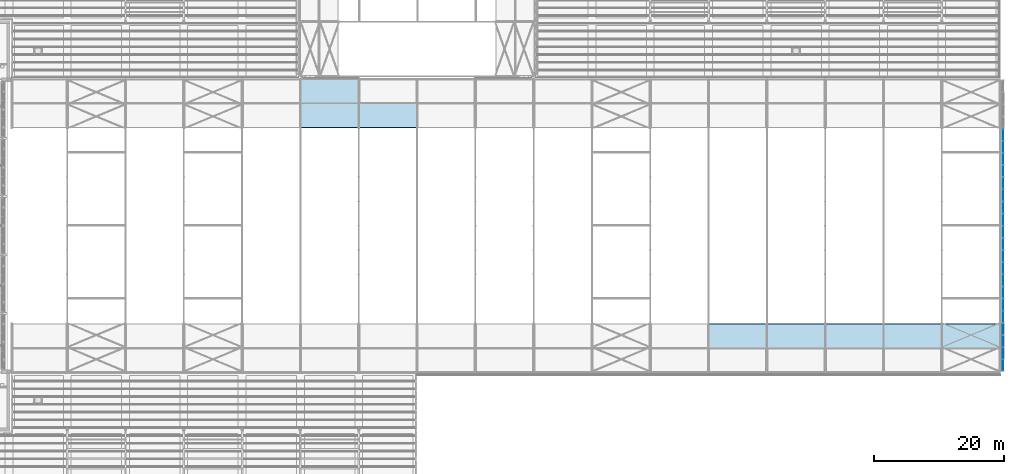
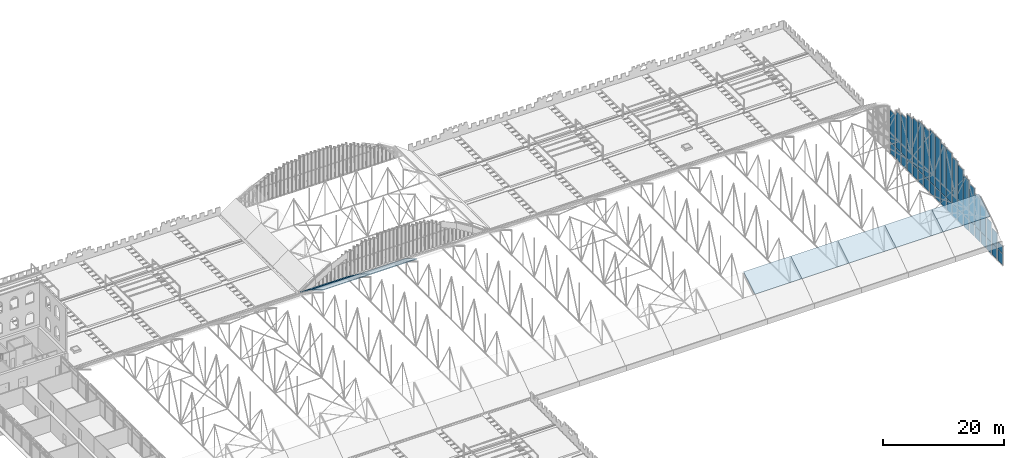
# One storey, part 95 of 153: 40 plates, 8 slabs, 20 elements without a shape of their own.
"""IFC4 building model written with IfcOpenShell, lengths in metres."""

from ifc_helpers import new_model, si_unit, direction, frame, origin, origin_2d, place, context, subcontext, project, spatial, polyline, rectangle, outline, extrude, material, layer, layer_set, type_object, element, aggregate, save


model = new_model("IFC4")

# Units and contexts
model_context = context("Model", 3, precision=1e-05, world=origin(), true_north=direction((0.0, 1.0)))
body_context = subcontext(model_context, "Body", "Model", "MODEL_VIEW")
ifc_project = project(units=[si_unit("LENGTHUNIT", "METRE"), si_unit("AREAUNIT", "SQUARE_METRE"), si_unit("VOLUMEUNIT", "CUBIC_METRE"), si_unit("PLANEANGLEUNIT", "RADIAN"), si_unit("MASSUNIT", "GRAM", prefix="KILO")], contexts=[model_context])

# Site, building, storey
site_placement = place(None, origin())
site = spatial("IfcSite", under=ifc_project, at=site_placement, CompositionType="ELEMENT")
building_placement = place(site_placement, origin())
building = spatial("IfcBuilding", under=site, at=building_placement, Name="Baradari Gate Terminus", CompositionType="ELEMENT")
storey_placement = place(building_placement, frame((0.0, 0.0, 11.699951171875)))
storey = spatial("IfcBuildingStorey", under=building, at=storey_placement, Name="L02", CompositionType="ELEMENT", Elevation=11.699951171875)

# Curtain wall, plates
ifc_material_1 = material(Name="Aluminium 6063-T6", Category="aluminium")
curtain_wall_type_1 = type_object("IfcCurtainWallType", Name="Curtain wall CW-14 gable screen, other height", PredefinedType="NOTDEFINED", material=ifc_material_1)
curtain_wall_1_placement = place(storey_placement, origin())
curtain_wall_1 = element("IfcCurtainWall", 1, at=curtain_wall_1_placement, inside=storey, type_object=curtain_wall_type_1, Name="Gable glazing curtain wall CW-14 cell 01a", PredefinedType="NOTDEFINED")
ifc_material_2 = material(Name="Insulating glass unit", Category="glass")
ifc_layer_1 = layer(ifc_material_2, 0.0400390625)
ifc_layer_set_1 = layer_set([ifc_layer_1], Name="Insulating glass unit")
plate_type_1 = type_object("IfcPlateType", Name="Curtain wall glazing unit CP-14 40", PredefinedType="CURTAIN_PANEL", material=ifc_layer_set_1)
plate_1_placement = place(storey_placement, frame((243.449951171875, 36.9375, -4.60009765625), z_axis=(0.0, 0.0, 1.0), x_axis=(0.0, 1.0, 0.0)))
plate_1 = element("IfcPlate", 2, at=plate_1_placement, type_object=plate_type_1, Name="CW-14 panel 1.1", PredefinedType="CURTAIN_PANEL", context=body_context, shape_type="SweptSolid", body=[
    extrude(rectangle(XDim=1.675048828125, YDim=0.0400390625, at=origin_2d()), origin(), (0.0, 0.0, 1.0), 2.268310546875),
])
plate_2_placement = place(storey_placement, frame((243.449951171875, 36.9375, -2.231689453125), z_axis=(0.0, 0.0, 1.0), x_axis=(0.0, 1.0, 0.0)))
plate_2 = element("IfcPlate", 3, at=plate_2_placement, type_object=plate_type_1, Name="CW-14 panel 1.2", PredefinedType="CURTAIN_PANEL", context=body_context, shape_type="SweptSolid", body=[
    extrude(rectangle(XDim=1.675048828125, YDim=0.0400390625, at=origin_2d()), origin(), (0.0, 0.0, 1.0), 1.431640625),
])
aggregate(curtain_wall_1, [plate_1, plate_2])

ifc_material_3 = material(Name="Aluminium 6063-T6", Category="aluminium")
curtain_wall_type_2 = type_object("IfcCurtainWallType", Name="Curtain wall CW-15 gable screen, other height", PredefinedType="NOTDEFINED", material=ifc_material_3)
curtain_wall_2_placement = place(storey_placement, origin())
curtain_wall_2 = element("IfcCurtainWall", 4, at=curtain_wall_2_placement, inside=storey, type_object=curtain_wall_type_2, Name="Gable glazing curtain wall CW-15 cell 01b", PredefinedType="NOTDEFINED")
ifc_material_4 = material(Name="Insulating glass unit", Category="glass")
ifc_layer_2 = layer(ifc_material_4, 0.0400390625)
ifc_layer_set_2 = layer_set([ifc_layer_2], Name="Insulating glass unit")
plate_type_2 = type_object("IfcPlateType", Name="Curtain wall glazing unit CP-15 40", PredefinedType="CURTAIN_PANEL", material=ifc_layer_set_2)
plate_3_placement = place(storey_placement, frame((243.449951171875, 38.8125, -4.60009765625), z_axis=(0.0, 0.0, 1.0), x_axis=(0.0, 1.0, 0.0)))
plate_3 = element("IfcPlate", 5, at=plate_3_placement, type_object=plate_type_2, Name="CW-15 panel 1.1", PredefinedType="CURTAIN_PANEL", context=body_context, shape_type="SweptSolid", body=[
    extrude(rectangle(XDim=1.675048828125, YDim=0.0400390625, at=origin_2d()), origin(), (0.0, 0.0, 1.0), 2.268310546875),
])
plate_4_placement = place(storey_placement, frame((243.449951171875, 38.8125, -2.231689453125), z_axis=(0.0, 0.0, 1.0), x_axis=(0.0, 1.0, 0.0)))
plate_4 = element("IfcPlate", 6, at=plate_4_placement, type_object=plate_type_2, Name="CW-15 panel 1.2", PredefinedType="CURTAIN_PANEL", context=body_context, shape_type="SweptSolid", body=[
    extrude(rectangle(XDim=1.675048828125, YDim=0.0400390625, at=origin_2d()), origin(), (0.0, 0.0, 1.0), 2.931640625),
])
aggregate(curtain_wall_2, [plate_3, plate_4])

ifc_material_5 = material(Name="Aluminium 6063-T6", Category="aluminium")
curtain_wall_type_3 = type_object("IfcCurtainWallType", Name="Curtain wall CW-16 gable screen, other height", PredefinedType="NOTDEFINED", material=ifc_material_5)
curtain_wall_3_placement = place(storey_placement, origin())
curtain_wall_3 = element("IfcCurtainWall", 7, at=curtain_wall_3_placement, inside=storey, type_object=curtain_wall_type_3, Name="Gable glazing curtain wall CW-16 cell 02a", PredefinedType="NOTDEFINED")
ifc_material_6 = material(Name="Insulating glass unit", Category="glass")
ifc_layer_3 = layer(ifc_material_6, 0.0400390625)
ifc_layer_set_3 = layer_set([ifc_layer_3], Name="Insulating glass unit")
plate_type_3 = type_object("IfcPlateType", Name="Curtain wall glazing unit CP-16 40", PredefinedType="CURTAIN_PANEL", material=ifc_layer_set_3)
plate_5_placement = place(storey_placement, frame((243.449951171875, 40.6875, -4.60009765625), z_axis=(0.0, 0.0, 1.0), x_axis=(0.0, 1.0, 0.0)))
plate_5 = element("IfcPlate", 8, at=plate_5_placement, type_object=plate_type_3, Name="CW-16 panel 1.1", PredefinedType="CURTAIN_PANEL", context=body_context, shape_type="SweptSolid", body=[
    extrude(rectangle(XDim=1.675048828125, YDim=0.0400390625, at=origin_2d()), origin(), (0.0, 0.0, 1.0), 2.268310546875),
])
plate_6_placement = place(storey_placement, frame((243.449951171875, 40.6875, -2.231689453125), z_axis=(0.0, 0.0, 1.0), x_axis=(0.0, 1.0, 0.0)))
plate_6 = element("IfcPlate", 9, at=plate_6_placement, type_object=plate_type_3, Name="CW-16 panel 1.2", PredefinedType="CURTAIN_PANEL", context=body_context, shape_type="SweptSolid", body=[
    extrude(rectangle(XDim=1.675048828125, YDim=0.0400390625, at=origin_2d()), origin(), (0.0, 0.0, 1.0), 3.931640625),
])
aggregate(curtain_wall_3, [plate_5, plate_6])

# Curtain wall, plate
ifc_material_7 = material(Name="Aluminium 6063-T6", Category="aluminium")
curtain_wall_type_4 = type_object("IfcCurtainWallType", Name="Curtain wall CW-17 gable screen, other height", PredefinedType="NOTDEFINED", material=ifc_material_7)
curtain_wall_4_placement = place(storey_placement, origin())
curtain_wall_4 = element("IfcCurtainWall", 10, at=curtain_wall_4_placement, inside=storey, type_object=curtain_wall_type_4, Name="Gable glazing curtain wall CW-17 cell 02b", PredefinedType="NOTDEFINED")
ifc_material_8 = material(Name="Insulating glass unit", Category="glass")
ifc_layer_4 = layer(ifc_material_8, 0.0400390625)
ifc_layer_set_4 = layer_set([ifc_layer_4], Name="Insulating glass unit")
plate_type_4 = type_object("IfcPlateType", Name="Curtain wall glazing unit CP-17 40", PredefinedType="CURTAIN_PANEL", material=ifc_layer_set_4)
plate_7_placement = place(storey_placement, frame((243.449951171875, 42.5625, -4.60009765625), z_axis=(0.0, 0.0, 1.0), x_axis=(0.0, 1.0, 0.0)))
plate_7 = element("IfcPlate", 11, at=plate_7_placement, type_object=plate_type_4, Name="CW-17 panel 1.1", PredefinedType="CURTAIN_PANEL", context=body_context, shape_type="SweptSolid", body=[
    extrude(rectangle(XDim=1.675048828125, YDim=0.0400390625, at=origin_2d()), origin(), (0.0, 0.0, 1.0), 2.268310546875),
])

ifc_material_9 = material(Name="Aluminium 6063-T6", Category="aluminium")
curtain_wall_type_5 = type_object("IfcCurtainWallType", Name="Curtain wall CW-18 gable screen, other height", PredefinedType="NOTDEFINED", material=ifc_material_9)
curtain_wall_5_placement = place(storey_placement, origin())
curtain_wall_5 = element("IfcCurtainWall", 12, at=curtain_wall_5_placement, inside=storey, type_object=curtain_wall_type_5, Name="Gable glazing curtain wall CW-18 cell 03a", PredefinedType="NOTDEFINED")
ifc_material_10 = material(Name="Insulating glass unit", Category="glass")
ifc_layer_5 = layer(ifc_material_10, 0.0400390625)
ifc_layer_set_5 = layer_set([ifc_layer_5], Name="Insulating glass unit")
plate_type_5 = type_object("IfcPlateType", Name="Curtain wall glazing unit CP-18 40", PredefinedType="CURTAIN_PANEL", material=ifc_layer_set_5)
plate_8_placement = place(storey_placement, frame((243.449951171875, 44.4375, -4.60009765625), z_axis=(0.0, 0.0, 1.0), x_axis=(0.0, 1.0, 0.0)))
plate_8 = element("IfcPlate", 13, at=plate_8_placement, type_object=plate_type_5, Name="CW-18 panel 1.1", PredefinedType="CURTAIN_PANEL", context=body_context, shape_type="SweptSolid", body=[
    extrude(rectangle(XDim=1.675048828125, YDim=0.0400390625, at=origin_2d()), origin(), (0.0, 0.0, 1.0), 2.268310546875),
])

curtain_wall_6_placement = place(storey_placement, origin())
curtain_wall_6 = element("IfcCurtainWall", 14, at=curtain_wall_6_placement, inside=storey, type_object=curtain_wall_type_5, Name="Gable glazing curtain wall CW-18 cell 10b", PredefinedType="NOTDEFINED")
plate_9_placement = place(storey_placement, frame((243.449951171875, 72.5625, -4.60009765625), z_axis=(0.0, 0.0, 1.0), x_axis=(0.0, 1.0, 0.0)))
plate_9 = element("IfcPlate", 15, at=plate_9_placement, type_object=plate_type_5, Name="CW-18 panel 1.1", PredefinedType="CURTAIN_PANEL", context=body_context, shape_type="SweptSolid", body=[
    extrude(rectangle(XDim=1.675048828125, YDim=0.0400390625, at=origin_2d()), origin(), (0.0, 0.0, 1.0), 2.268310546875),
])

ifc_material_11 = material(Name="Aluminium 6063-T6", Category="aluminium")
curtain_wall_type_6 = type_object("IfcCurtainWallType", Name="Curtain wall CW-19 gable screen, other height", PredefinedType="NOTDEFINED", material=ifc_material_11)
curtain_wall_7_placement = place(storey_placement, origin())
curtain_wall_7 = element("IfcCurtainWall", 16, at=curtain_wall_7_placement, inside=storey, type_object=curtain_wall_type_6, Name="Gable glazing curtain wall CW-19 cell 03b", PredefinedType="NOTDEFINED")
ifc_material_12 = material(Name="Insulating glass unit", Category="glass")
ifc_layer_6 = layer(ifc_material_12, 0.0400390625)
ifc_layer_set_6 = layer_set([ifc_layer_6], Name="Insulating glass unit")
plate_type_6 = type_object("IfcPlateType", Name="Curtain wall glazing unit CP-19 40", PredefinedType="CURTAIN_PANEL", material=ifc_layer_set_6)
plate_10_placement = place(storey_placement, frame((243.449951171875, 46.3125, -4.60009765625), z_axis=(0.0, 0.0, 1.0), x_axis=(0.0, 1.0, 0.0)))
plate_10 = element("IfcPlate", 17, at=plate_10_placement, type_object=plate_type_6, Name="CW-19 panel 1.1", PredefinedType="CURTAIN_PANEL", context=body_context, shape_type="SweptSolid", body=[
    extrude(rectangle(XDim=1.675048828125, YDim=0.0400390625, at=origin_2d()), origin(), (0.0, 0.0, 1.0), 2.268310546875),
])

curtain_wall_8_placement = place(storey_placement, origin())
curtain_wall_8 = element("IfcCurtainWall", 18, at=curtain_wall_8_placement, inside=storey, type_object=curtain_wall_type_6, Name="Gable glazing curtain wall CW-19 cell 10a", PredefinedType="NOTDEFINED")
plate_11_placement = place(storey_placement, frame((243.449951171875, 70.6875, -4.60009765625), z_axis=(0.0, 0.0, 1.0), x_axis=(0.0, 1.0, 0.0)))
plate_11 = element("IfcPlate", 19, at=plate_11_placement, type_object=plate_type_6, Name="CW-19 panel 1.1", PredefinedType="CURTAIN_PANEL", context=body_context, shape_type="SweptSolid", body=[
    extrude(rectangle(XDim=1.675048828125, YDim=0.0400390625, at=origin_2d()), origin(), (0.0, 0.0, 1.0), 2.268310546875),
])

ifc_material_13 = material(Name="Aluminium 6063-T6", Category="aluminium")
curtain_wall_type_7 = type_object("IfcCurtainWallType", Name="Curtain wall CW-20 gable screen, other height", PredefinedType="NOTDEFINED", material=ifc_material_13)
curtain_wall_9_placement = place(storey_placement, origin())
curtain_wall_9 = element("IfcCurtainWall", 20, at=curtain_wall_9_placement, inside=storey, type_object=curtain_wall_type_7, Name="Gable glazing curtain wall CW-20 cell 04a", PredefinedType="NOTDEFINED")
ifc_material_14 = material(Name="Insulating glass unit", Category="glass")
ifc_layer_7 = layer(ifc_material_14, 0.0400390625)
ifc_layer_set_7 = layer_set([ifc_layer_7], Name="Insulating glass unit")
plate_type_7 = type_object("IfcPlateType", Name="Curtain wall glazing unit CP-20 40", PredefinedType="CURTAIN_PANEL", material=ifc_layer_set_7)
plate_12_placement = place(storey_placement, frame((243.449951171875, 48.1875, -4.60009765625), z_axis=(0.0, 0.0, 1.0), x_axis=(0.0, 1.0, 0.0)))
plate_12 = element("IfcPlate", 21, at=plate_12_placement, type_object=plate_type_7, Name="CW-20 panel 1.1", PredefinedType="CURTAIN_PANEL", context=body_context, shape_type="SweptSolid", body=[
    extrude(rectangle(XDim=1.675048828125, YDim=0.0400390625, at=origin_2d()), origin(), (0.0, 0.0, 1.0), 2.268310546875),
])

curtain_wall_10_placement = place(storey_placement, origin())
curtain_wall_10 = element("IfcCurtainWall", 22, at=curtain_wall_10_placement, inside=storey, type_object=curtain_wall_type_7, Name="Gable glazing curtain wall CW-20 cell 09b", PredefinedType="NOTDEFINED")
plate_13_placement = place(storey_placement, frame((243.449951171875, 68.8125, -4.60009765625), z_axis=(0.0, 0.0, 1.0), x_axis=(0.0, 1.0, 0.0)))
plate_13 = element("IfcPlate", 23, at=plate_13_placement, type_object=plate_type_7, Name="CW-20 panel 1.1", PredefinedType="CURTAIN_PANEL", context=body_context, shape_type="SweptSolid", body=[
    extrude(rectangle(XDim=1.675048828125, YDim=0.0400390625, at=origin_2d()), origin(), (0.0, 0.0, 1.0), 2.268310546875),
])

ifc_material_15 = material(Name="Aluminium 6063-T6", Category="aluminium")
curtain_wall_type_8 = type_object("IfcCurtainWallType", Name="Curtain wall CW-21 gable screen, other height", PredefinedType="NOTDEFINED", material=ifc_material_15)
curtain_wall_11_placement = place(storey_placement, origin())
curtain_wall_11 = element("IfcCurtainWall", 24, at=curtain_wall_11_placement, inside=storey, type_object=curtain_wall_type_8, Name="Gable glazing curtain wall CW-21 cell 04b", PredefinedType="NOTDEFINED")
ifc_material_16 = material(Name="Insulating glass unit", Category="glass")
ifc_layer_8 = layer(ifc_material_16, 0.0400390625)
ifc_layer_set_8 = layer_set([ifc_layer_8], Name="Insulating glass unit")
plate_type_8 = type_object("IfcPlateType", Name="Curtain wall glazing unit CP-21 40", PredefinedType="CURTAIN_PANEL", material=ifc_layer_set_8)
plate_14_placement = place(storey_placement, frame((243.449951171875, 50.0625, -4.60009765625), z_axis=(0.0, 0.0, 1.0), x_axis=(0.0, 1.0, 0.0)))
plate_14 = element("IfcPlate", 25, at=plate_14_placement, type_object=plate_type_8, Name="CW-21 panel 1.1", PredefinedType="CURTAIN_PANEL", context=body_context, shape_type="SweptSolid", body=[
    extrude(rectangle(XDim=1.675048828125, YDim=0.0400390625, at=origin_2d()), origin(), (0.0, 0.0, 1.0), 2.268310546875),
])

curtain_wall_12_placement = place(storey_placement, origin())
curtain_wall_12 = element("IfcCurtainWall", 26, at=curtain_wall_12_placement, inside=storey, type_object=curtain_wall_type_8, Name="Gable glazing curtain wall CW-21 cell 09a", PredefinedType="NOTDEFINED")
plate_15_placement = place(storey_placement, frame((243.449951171875, 66.9375, -4.60009765625), z_axis=(0.0, 0.0, 1.0), x_axis=(0.0, 1.0, 0.0)))
plate_15 = element("IfcPlate", 27, at=plate_15_placement, type_object=plate_type_8, Name="CW-21 panel 1.1", PredefinedType="CURTAIN_PANEL", context=body_context, shape_type="SweptSolid", body=[
    extrude(rectangle(XDim=1.675048828125, YDim=0.0400390625, at=origin_2d()), origin(), (0.0, 0.0, 1.0), 2.268310546875),
])

ifc_material_17 = material(Name="Aluminium 6063-T6", Category="aluminium")
curtain_wall_type_9 = type_object("IfcCurtainWallType", Name="Curtain wall CW-22 gable screen, other height", PredefinedType="NOTDEFINED", material=ifc_material_17)
curtain_wall_13_placement = place(storey_placement, origin())
curtain_wall_13 = element("IfcCurtainWall", 28, at=curtain_wall_13_placement, inside=storey, type_object=curtain_wall_type_9, Name="Gable glazing curtain wall CW-22 cell 05a", PredefinedType="NOTDEFINED")
ifc_material_18 = material(Name="Insulating glass unit", Category="glass")
ifc_layer_9 = layer(ifc_material_18, 0.0400390625)
ifc_layer_set_9 = layer_set([ifc_layer_9], Name="Insulating glass unit")
plate_type_9 = type_object("IfcPlateType", Name="Curtain wall glazing unit CP-22 40", PredefinedType="CURTAIN_PANEL", material=ifc_layer_set_9)
plate_16_placement = place(storey_placement, frame((243.449951171875, 51.9375, -4.60009765625), z_axis=(0.0, 0.0, 1.0), x_axis=(0.0, 1.0, 0.0)))
plate_16 = element("IfcPlate", 29, at=plate_16_placement, type_object=plate_type_9, Name="CW-22 panel 1.1", PredefinedType="CURTAIN_PANEL", context=body_context, shape_type="SweptSolid", body=[
    extrude(rectangle(XDim=1.675048828125, YDim=0.0400390625, at=origin_2d()), origin(), (0.0, 0.0, 1.0), 2.268310546875),
])

curtain_wall_14_placement = place(storey_placement, origin())
curtain_wall_14 = element("IfcCurtainWall", 30, at=curtain_wall_14_placement, inside=storey, type_object=curtain_wall_type_9, Name="Gable glazing curtain wall CW-22 cell 08b", PredefinedType="NOTDEFINED")
plate_17_placement = place(storey_placement, frame((243.449951171875, 65.0625, -4.60009765625), z_axis=(0.0, 0.0, 1.0), x_axis=(0.0, 1.0, 0.0)))
plate_17 = element("IfcPlate", 31, at=plate_17_placement, type_object=plate_type_9, Name="CW-22 panel 1.1", PredefinedType="CURTAIN_PANEL", context=body_context, shape_type="SweptSolid", body=[
    extrude(rectangle(XDim=1.675048828125, YDim=0.0400390625, at=origin_2d()), origin(), (0.0, 0.0, 1.0), 2.268310546875),
])

ifc_material_19 = material(Name="Aluminium 6063-T6", Category="aluminium")
curtain_wall_type_10 = type_object("IfcCurtainWallType", Name="Curtain wall CW-23 gable screen, other height", PredefinedType="NOTDEFINED", material=ifc_material_19)
curtain_wall_15_placement = place(storey_placement, origin())
curtain_wall_15 = element("IfcCurtainWall", 32, at=curtain_wall_15_placement, inside=storey, type_object=curtain_wall_type_10, Name="Gable glazing curtain wall CW-23 cell 06b", PredefinedType="NOTDEFINED")
ifc_material_20 = material(Name="Insulating glass unit", Category="glass")
ifc_layer_10 = layer(ifc_material_20, 0.0400390625)
ifc_layer_set_10 = layer_set([ifc_layer_10], Name="Insulating glass unit")
plate_type_10 = type_object("IfcPlateType", Name="Curtain wall glazing unit CP-23 40", PredefinedType="CURTAIN_PANEL", material=ifc_layer_set_10)
plate_18_placement = place(storey_placement, frame((243.449951171875, 57.5625, -4.60009765625), z_axis=(0.0, 0.0, 1.0), x_axis=(0.0, 1.0, 0.0)))
plate_18 = element("IfcPlate", 33, at=plate_18_placement, type_object=plate_type_10, Name="CW-23 panel 1.1", PredefinedType="CURTAIN_PANEL", context=body_context, shape_type="SweptSolid", body=[
    extrude(rectangle(XDim=1.675048828125, YDim=0.0400390625, at=origin_2d()), origin(), (0.0, 0.0, 1.0), 2.268310546875),
])

curtain_wall_16_placement = place(storey_placement, origin())
curtain_wall_16 = element("IfcCurtainWall", 34, at=curtain_wall_16_placement, inside=storey, type_object=curtain_wall_type_10, Name="Gable glazing curtain wall CW-23 cell 07a", PredefinedType="NOTDEFINED")
plate_19_placement = place(storey_placement, frame((243.449951171875, 59.4375, -4.60009765625), z_axis=(0.0, 0.0, 1.0), x_axis=(0.0, 1.0, 0.0)))
plate_19 = element("IfcPlate", 35, at=plate_19_placement, type_object=plate_type_10, Name="CW-23 panel 1.1", PredefinedType="CURTAIN_PANEL", context=body_context, shape_type="SweptSolid", body=[
    extrude(rectangle(XDim=1.675048828125, YDim=0.0400390625, at=origin_2d()), origin(), (0.0, 0.0, 1.0), 2.268310546875),
])

ifc_material_21 = material(Name="Aluminium 6063-T6", Category="aluminium")
curtain_wall_type_11 = type_object("IfcCurtainWallType", Name="Curtain wall CW-6 gable screen", PredefinedType="NOTDEFINED", material=ifc_material_21)
curtain_wall_17_placement = place(storey_placement, origin())
curtain_wall_17 = element("IfcCurtainWall", 36, at=curtain_wall_17_placement, inside=storey, type_object=curtain_wall_type_11, Name="Gable glazing curtain wall CW-6 cell 05b", PredefinedType="NOTDEFINED")
ifc_material_22 = material(Name="Insulating glass unit", Category="glass")
ifc_layer_11 = layer(ifc_material_22, 0.0400390625)
ifc_layer_set_11 = layer_set([ifc_layer_11], Name="Insulating glass unit")
plate_type_11 = type_object("IfcPlateType", Name="Curtain wall glazing unit CP-6 40", PredefinedType="CURTAIN_PANEL", material=ifc_layer_set_11)
plate_20_placement = place(storey_placement, frame((243.449951171875, 53.8125, -4.60009765625), z_axis=(0.0, 0.0, 1.0), x_axis=(0.0, 1.0, 0.0)))
plate_20 = element("IfcPlate", 37, at=plate_20_placement, type_object=plate_type_11, Name="CW-6 panel 1.1", PredefinedType="CURTAIN_PANEL", context=body_context, shape_type="SweptSolid", body=[
    extrude(rectangle(XDim=1.675048828125, YDim=0.0400390625, at=origin_2d()), origin(), (0.0, 0.0, 1.0), 2.268310546875),
])

curtain_wall_18_placement = place(storey_placement, origin())
curtain_wall_18 = element("IfcCurtainWall", 38, at=curtain_wall_18_placement, inside=storey, type_object=curtain_wall_type_11, Name="Gable glazing curtain wall CW-6 cell 06a", PredefinedType="NOTDEFINED")
plate_21_placement = place(storey_placement, frame((243.449951171875, 55.6875, -4.60009765625), z_axis=(0.0, 0.0, 1.0), x_axis=(0.0, 1.0, 0.0)))
plate_21 = element("IfcPlate", 39, at=plate_21_placement, type_object=plate_type_11, Name="CW-6 panel 1.1", PredefinedType="CURTAIN_PANEL", context=body_context, shape_type="SweptSolid", body=[
    extrude(rectangle(XDim=1.675048828125, YDim=0.0400390625, at=origin_2d()), origin(), (0.0, 0.0, 1.0), 2.268310546875),
])

curtain_wall_19_placement = place(storey_placement, origin())
curtain_wall_19 = element("IfcCurtainWall", 40, at=curtain_wall_19_placement, inside=storey, type_object=curtain_wall_type_11, Name="Gable glazing curtain wall CW-6 cell 07b", PredefinedType="NOTDEFINED")
plate_22_placement = place(storey_placement, frame((243.449951171875, 61.3125, -4.60009765625), z_axis=(0.0, 0.0, 1.0), x_axis=(0.0, 1.0, 0.0)))
plate_22 = element("IfcPlate", 41, at=plate_22_placement, type_object=plate_type_11, Name="CW-6 panel 1.1", PredefinedType="CURTAIN_PANEL", context=body_context, shape_type="SweptSolid", body=[
    extrude(rectangle(XDim=1.675048828125, YDim=0.0400390625, at=origin_2d()), origin(), (0.0, 0.0, 1.0), 2.268310546875),
])

curtain_wall_20_placement = place(storey_placement, origin())
curtain_wall_20 = element("IfcCurtainWall", 42, at=curtain_wall_20_placement, inside=storey, type_object=curtain_wall_type_11, Name="Gable glazing curtain wall CW-6 cell 08a", PredefinedType="NOTDEFINED")
plate_23_placement = place(storey_placement, frame((243.449951171875, 63.1875, -4.60009765625), z_axis=(0.0, 0.0, 1.0), x_axis=(0.0, 1.0, 0.0)))
plate_23 = element("IfcPlate", 43, at=plate_23_placement, type_object=plate_type_11, Name="CW-6 panel 1.1", PredefinedType="CURTAIN_PANEL", context=body_context, shape_type="SweptSolid", body=[
    extrude(rectangle(XDim=1.675048828125, YDim=0.0400390625, at=origin_2d()), origin(), (0.0, 0.0, 1.0), 2.268310546875),
])

# Plate
ifc_material_23 = material(Name="Back-painted glass", Category="glass")
ifc_layer_12 = layer(ifc_material_23, 0.080078125)
ifc_layer_set_12 = layer_set([ifc_layer_12], Name="Back-painted glass")
plate_type_12 = type_object("IfcPlateType", Name="Curtain wall spandrel panel CP-S17 80", PredefinedType="CURTAIN_PANEL", material=ifc_layer_set_12)
plate_24_placement = place(storey_placement, frame((243.449951171875, 42.5625, -2.231689453125), z_axis=(0.0, 0.0, 1.0), x_axis=(0.0, 1.0, 0.0)))
plate_24 = element("IfcPlate", 44, at=plate_24_placement, type_object=plate_type_12, Name="CW-17 spandrel panel 1.2", PredefinedType="CURTAIN_PANEL", context=body_context, shape_type="SweptSolid", body=[
    extrude(rectangle(XDim=1.675048828125, YDim=0.080078125, at=origin_2d()), origin(), (0.0, 0.0, 1.0), 5.431640625),
])

aggregate(curtain_wall_4, [plate_7, plate_24])

ifc_material_24 = material(Name="Back-painted glass", Category="glass")
ifc_layer_13 = layer(ifc_material_24, 0.080078125)
ifc_layer_set_13 = layer_set([ifc_layer_13], Name="Back-painted glass")
plate_type_13 = type_object("IfcPlateType", Name="Curtain wall spandrel panel CP-S18 80", PredefinedType="CURTAIN_PANEL", material=ifc_layer_set_13)
plate_25_placement = place(storey_placement, frame((243.449951171875, 44.4375, -2.231689453125), z_axis=(0.0, 0.0, 1.0), x_axis=(0.0, 1.0, 0.0)))
plate_25 = element("IfcPlate", 45, at=plate_25_placement, type_object=plate_type_13, Name="CW-18 spandrel panel 1.2", PredefinedType="CURTAIN_PANEL", context=body_context, shape_type="SweptSolid", body=[
    extrude(rectangle(XDim=1.675048828125, YDim=0.080078125, at=origin_2d()), origin(), (0.0, 0.0, 1.0), 6.431640625),
])

aggregate(curtain_wall_5, [plate_8, plate_25])

plate_26_placement = place(storey_placement, frame((243.449951171875, 72.5625, -2.231689453125), z_axis=(0.0, 0.0, 1.0), x_axis=(0.0, 1.0, 0.0)))
plate_26 = element("IfcPlate", 46, at=plate_26_placement, type_object=plate_type_13, Name="CW-18 spandrel panel 1.2", PredefinedType="CURTAIN_PANEL", context=body_context, shape_type="SweptSolid", body=[
    extrude(rectangle(XDim=1.675048828125, YDim=0.080078125, at=origin_2d()), origin(), (0.0, 0.0, 1.0), 6.431640625),
])

aggregate(curtain_wall_6, [plate_9, plate_26])

ifc_material_25 = material(Name="Back-painted glass", Category="glass")
ifc_layer_14 = layer(ifc_material_25, 0.080078125)
ifc_layer_set_14 = layer_set([ifc_layer_14], Name="Back-painted glass")
plate_type_14 = type_object("IfcPlateType", Name="Curtain wall spandrel panel CP-S19 80", PredefinedType="CURTAIN_PANEL", material=ifc_layer_set_14)
plate_27_placement = place(storey_placement, frame((243.449951171875, 46.3125, -2.231689453125), z_axis=(0.0, 0.0, 1.0), x_axis=(0.0, 1.0, 0.0)))
plate_27 = element("IfcPlate", 47, at=plate_27_placement, type_object=plate_type_14, Name="CW-19 spandrel panel 1.2", PredefinedType="CURTAIN_PANEL", context=body_context, shape_type="SweptSolid", body=[
    extrude(rectangle(XDim=1.675048828125, YDim=0.080078125, at=origin_2d()), origin(), (0.0, 0.0, 1.0), 7.431640625),
])

aggregate(curtain_wall_7, [plate_10, plate_27])

plate_28_placement = place(storey_placement, frame((243.449951171875, 70.6875, -2.231689453125), z_axis=(0.0, 0.0, 1.0), x_axis=(0.0, 1.0, 0.0)))
plate_28 = element("IfcPlate", 48, at=plate_28_placement, type_object=plate_type_14, Name="CW-19 spandrel panel 1.2", PredefinedType="CURTAIN_PANEL", context=body_context, shape_type="SweptSolid", body=[
    extrude(rectangle(XDim=1.675048828125, YDim=0.080078125, at=origin_2d()), origin(), (0.0, 0.0, 1.0), 7.431640625),
])

aggregate(curtain_wall_8, [plate_11, plate_28])

ifc_material_26 = material(Name="Back-painted glass", Category="glass")
ifc_layer_15 = layer(ifc_material_26, 0.080078125)
ifc_layer_set_15 = layer_set([ifc_layer_15], Name="Back-painted glass")
plate_type_15 = type_object("IfcPlateType", Name="Curtain wall spandrel panel CP-S20 80", PredefinedType="CURTAIN_PANEL", material=ifc_layer_set_15)
plate_29_placement = place(storey_placement, frame((243.449951171875, 48.1875, -2.231689453125), z_axis=(0.0, 0.0, 1.0), x_axis=(0.0, 1.0, 0.0)))
plate_29 = element("IfcPlate", 49, at=plate_29_placement, type_object=plate_type_15, Name="CW-20 spandrel panel 1.2", PredefinedType="CURTAIN_PANEL", context=body_context, shape_type="SweptSolid", body=[
    extrude(rectangle(XDim=1.675048828125, YDim=0.080078125, at=origin_2d()), origin(), (0.0, 0.0, 1.0), 7.931640625),
])

aggregate(curtain_wall_9, [plate_12, plate_29])

plate_30_placement = place(storey_placement, frame((243.449951171875, 68.8125, -2.231689453125), z_axis=(0.0, 0.0, 1.0), x_axis=(0.0, 1.0, 0.0)))
plate_30 = element("IfcPlate", 50, at=plate_30_placement, type_object=plate_type_15, Name="CW-20 spandrel panel 1.2", PredefinedType="CURTAIN_PANEL", context=body_context, shape_type="SweptSolid", body=[
    extrude(rectangle(XDim=1.675048828125, YDim=0.080078125, at=origin_2d()), origin(), (0.0, 0.0, 1.0), 7.931640625),
])

aggregate(curtain_wall_10, [plate_13, plate_30])

ifc_material_27 = material(Name="Back-painted glass", Category="glass")
ifc_layer_16 = layer(ifc_material_27, 0.080078125)
ifc_layer_set_16 = layer_set([ifc_layer_16], Name="Back-painted glass")
plate_type_16 = type_object("IfcPlateType", Name="Curtain wall spandrel panel CP-S21 80", PredefinedType="CURTAIN_PANEL", material=ifc_layer_set_16)
plate_31_placement = place(storey_placement, frame((243.449951171875, 50.0625, -2.231689453125), z_axis=(0.0, 0.0, 1.0), x_axis=(0.0, 1.0, 0.0)))
plate_31 = element("IfcPlate", 51, at=plate_31_placement, type_object=plate_type_16, Name="CW-21 spandrel panel 1.2", PredefinedType="CURTAIN_PANEL", context=body_context, shape_type="SweptSolid", body=[
    extrude(rectangle(XDim=1.675048828125, YDim=0.080078125, at=origin_2d()), origin(), (0.0, 0.0, 1.0), 8.931640625),
])

aggregate(curtain_wall_11, [plate_14, plate_31])

plate_32_placement = place(storey_placement, frame((243.449951171875, 66.9375, -2.231689453125), z_axis=(0.0, 0.0, 1.0), x_axis=(0.0, 1.0, 0.0)))
plate_32 = element("IfcPlate", 52, at=plate_32_placement, type_object=plate_type_16, Name="CW-21 spandrel panel 1.2", PredefinedType="CURTAIN_PANEL", context=body_context, shape_type="SweptSolid", body=[
    extrude(rectangle(XDim=1.675048828125, YDim=0.080078125, at=origin_2d()), origin(), (0.0, 0.0, 1.0), 8.931640625),
])

aggregate(curtain_wall_12, [plate_15, plate_32])

ifc_material_28 = material(Name="Back-painted glass", Category="glass")
ifc_layer_17 = layer(ifc_material_28, 0.080078125)
ifc_layer_set_17 = layer_set([ifc_layer_17], Name="Back-painted glass")
plate_type_17 = type_object("IfcPlateType", Name="Curtain wall spandrel panel CP-S22 80", PredefinedType="CURTAIN_PANEL", material=ifc_layer_set_17)
plate_33_placement = place(storey_placement, frame((243.449951171875, 51.9375, -2.231689453125), z_axis=(0.0, 0.0, 1.0), x_axis=(0.0, 1.0, 0.0)))
plate_33 = element("IfcPlate", 53, at=plate_33_placement, type_object=plate_type_17, Name="CW-22 spandrel panel 1.2", PredefinedType="CURTAIN_PANEL", context=body_context, shape_type="SweptSolid", body=[
    extrude(rectangle(XDim=1.675048828125, YDim=0.080078125, at=origin_2d()), origin(), (0.0, 0.0, 1.0), 9.431640625),
])

aggregate(curtain_wall_13, [plate_16, plate_33])

plate_34_placement = place(storey_placement, frame((243.449951171875, 65.0625, -2.231689453125), z_axis=(0.0, 0.0, 1.0), x_axis=(0.0, 1.0, 0.0)))
plate_34 = element("IfcPlate", 54, at=plate_34_placement, type_object=plate_type_17, Name="CW-22 spandrel panel 1.2", PredefinedType="CURTAIN_PANEL", context=body_context, shape_type="SweptSolid", body=[
    extrude(rectangle(XDim=1.675048828125, YDim=0.080078125, at=origin_2d()), origin(), (0.0, 0.0, 1.0), 9.431640625),
])

aggregate(curtain_wall_14, [plate_17, plate_34])

ifc_material_29 = material(Name="Back-painted glass", Category="glass")
ifc_layer_18 = layer(ifc_material_29, 0.080078125)
ifc_layer_set_18 = layer_set([ifc_layer_18], Name="Back-painted glass")
plate_type_18 = type_object("IfcPlateType", Name="Curtain wall spandrel panel CP-S23 80", PredefinedType="CURTAIN_PANEL", material=ifc_layer_set_18)
plate_35_placement = place(storey_placement, frame((243.449951171875, 57.5625, -2.231689453125), z_axis=(0.0, 0.0, 1.0), x_axis=(0.0, 1.0, 0.0)))
plate_35 = element("IfcPlate", 55, at=plate_35_placement, type_object=plate_type_18, Name="CW-23 spandrel panel 1.2", PredefinedType="CURTAIN_PANEL", context=body_context, shape_type="SweptSolid", body=[
    extrude(rectangle(XDim=1.675048828125, YDim=0.080078125, at=origin_2d()), origin(), (0.0, 0.0, 1.0), 10.431640625),
])

aggregate(curtain_wall_15, [plate_18, plate_35])

plate_36_placement = place(storey_placement, frame((243.449951171875, 59.4375, -2.231689453125), z_axis=(0.0, 0.0, 1.0), x_axis=(0.0, 1.0, 0.0)))
plate_36 = element("IfcPlate", 56, at=plate_36_placement, type_object=plate_type_18, Name="CW-23 spandrel panel 1.2", PredefinedType="CURTAIN_PANEL", context=body_context, shape_type="SweptSolid", body=[
    extrude(rectangle(XDim=1.675048828125, YDim=0.080078125, at=origin_2d()), origin(), (0.0, 0.0, 1.0), 10.431640625),
])

aggregate(curtain_wall_16, [plate_19, plate_36])

ifc_material_30 = material(Name="Back-painted glass", Category="glass")
ifc_layer_19 = layer(ifc_material_30, 0.080078125)
ifc_layer_set_19 = layer_set([ifc_layer_19], Name="Back-painted glass")
plate_type_19 = type_object("IfcPlateType", Name="Curtain wall spandrel panel CP-S6 80", PredefinedType="CURTAIN_PANEL", material=ifc_layer_set_19)
plate_37_placement = place(storey_placement, frame((243.449951171875, 53.8125, -2.231689453125), z_axis=(0.0, 0.0, 1.0), x_axis=(0.0, 1.0, 0.0)))
plate_37 = element("IfcPlate", 57, at=plate_37_placement, type_object=plate_type_19, Name="CW-6 spandrel panel 1.2", PredefinedType="CURTAIN_PANEL", context=body_context, shape_type="SweptSolid", body=[
    extrude(rectangle(XDim=1.675048828125, YDim=0.080078125, at=origin_2d()), origin(), (0.0, 0.0, 1.0), 9.931640625),
])

aggregate(curtain_wall_17, [plate_20, plate_37])

plate_38_placement = place(storey_placement, frame((243.449951171875, 55.6875, -2.231689453125), z_axis=(0.0, 0.0, 1.0), x_axis=(0.0, 1.0, 0.0)))
plate_38 = element("IfcPlate", 58, at=plate_38_placement, type_object=plate_type_19, Name="CW-6 spandrel panel 1.2", PredefinedType="CURTAIN_PANEL", context=body_context, shape_type="SweptSolid", body=[
    extrude(rectangle(XDim=1.675048828125, YDim=0.080078125, at=origin_2d()), origin(), (0.0, 0.0, 1.0), 9.931640625),
])

aggregate(curtain_wall_18, [plate_21, plate_38])

plate_39_placement = place(storey_placement, frame((243.449951171875, 61.3125, -2.231689453125), z_axis=(0.0, 0.0, 1.0), x_axis=(0.0, 1.0, 0.0)))
plate_39 = element("IfcPlate", 59, at=plate_39_placement, type_object=plate_type_19, Name="CW-6 spandrel panel 1.2", PredefinedType="CURTAIN_PANEL", context=body_context, shape_type="SweptSolid", body=[
    extrude(rectangle(XDim=1.675048828125, YDim=0.080078125, at=origin_2d()), origin(), (0.0, 0.0, 1.0), 9.931640625),
])

aggregate(curtain_wall_19, [plate_22, plate_39])

plate_40_placement = place(storey_placement, frame((243.449951171875, 63.1875, -2.231689453125), z_axis=(0.0, 0.0, 1.0), x_axis=(0.0, 1.0, 0.0)))
plate_40 = element("IfcPlate", 60, at=plate_40_placement, type_object=plate_type_19, Name="CW-6 spandrel panel 1.2", PredefinedType="CURTAIN_PANEL", context=body_context, shape_type="SweptSolid", body=[
    extrude(rectangle(XDim=1.675048828125, YDim=0.080078125, at=origin_2d()), origin(), (0.0, 0.0, 1.0), 9.931640625),
])

aggregate(curtain_wall_20, [plate_23, plate_40])

# Slabs
ifc_material_31 = material(Name="Aluminium", Category="aluminium")
ifc_layer_20 = layer(ifc_material_31, 0.1201171875)
ifc_layer_set_20 = layer_set([ifc_layer_20], Name="Aluminium")
slab_type = type_object("IfcSlabType", Name="Shed roof panel", PredefinedType="ROOF", material=ifc_layer_set_20)
slab_1_placement = place(storey_placement, frame((135.0, 73.680908203125, 5.590576171875), z_axis=(0.0, 0.513297855318, 0.85821052879), x_axis=(1.0, 0.0, 0.0)))
element("IfcSlab", 61, at=slab_1_placement, inside=storey, type_object=slab_type, Name="RF/L02/B144-RP10", PredefinedType="ROOF", context=body_context, shape_type="SweptSolid", body=[
    extrude(outline(polyline([(0.0, 0.0), (9.0, 0.0), (9.0, 4.407677040601449), (0.0, 4.407677040601449), (0.0, 0.0)])), origin(), (0.0, 0.0, -1.0), 0.1201171875),
])
slab_2_placement = place(storey_placement, frame((135.0, 77.463623046875, 3.328125), z_axis=(0.0, 0.590775958062, 0.806835650784), x_axis=(1.0, 0.0, 0.0)))
element("IfcSlab", 62, at=slab_2_placement, inside=storey, type_object=slab_type, Name="RF/L02/B144-RP11", PredefinedType="ROOF", context=body_context, shape_type="SweptSolid", body=[
    extrude(outline(polyline([(0.0, 0.0), (9.0, 0.0), (9.0, 4.665639518056), (0.0, 4.665639518056), (0.0, 0.0)])), origin(), (0.0, 0.0, -1.0), 0.1201171875),
])
for number, where, z_axis, x_axis, name in (
    (63, (144.0, 73.680908203125, 5.590576171875), (0.0, 0.513297855318, 0.85821052879), (1.0, 0.0, 0.0), "RF/L02/B153-RP10"),
    (64, (198.0, 39.536376953125, 3.328125), (0.0, -0.513297855318, 0.85821052879), (1.0, 0.0, 0.0), "RF/L02/B207-RP01"),
    (65, (207.0, 39.536376953125, 3.328125), (0.0, -0.513297855318, 0.85821052879), (1.0, 0.0, 0.0), "RF/L02/B216-RP01"),
    (66, (216.0, 39.536376953125, 3.328125), (0.0, -0.513297855318, 0.85821052879), (1.0, 0.0, 0.0), "RF/L02/B225-RP01"),
    (67, (225.0, 39.536376953125, 3.328125), (0.0, -0.513297855318, 0.85821052879), (1.0, 0.0, 0.0), "RF/L02/B234-RP01"),
    (68, (234.0, 39.536376953125, 3.328125), (0.0, -0.513297855318, 0.85821052879), (1.0, 0.0, 0.0), "RF/L02/B243-RP01"),
):
    element("IfcSlab", number, at=place(storey_placement, frame(where, z_axis=z_axis, x_axis=x_axis)), inside=storey, type_object=slab_type, Name=name, PredefinedType="ROOF", context=body_context, shape_type="SweptSolid", body=[
        extrude(outline(polyline([(0.0, 0.0), (9.0, 0.0), (9.0, 4.407677040601449), (0.0, 4.407677040601449), (0.0, 0.0)])), origin(), (0.0, 0.0, -1.0), 0.1201171875),
    ])

save(model, "model.ifc")
